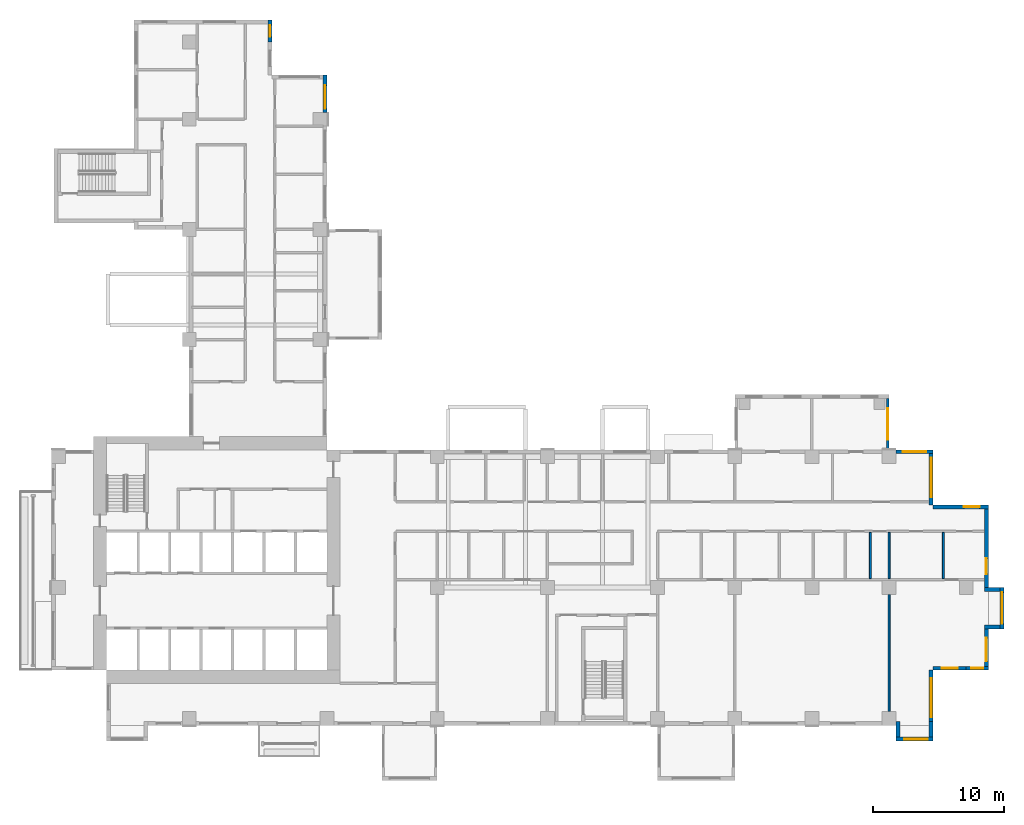
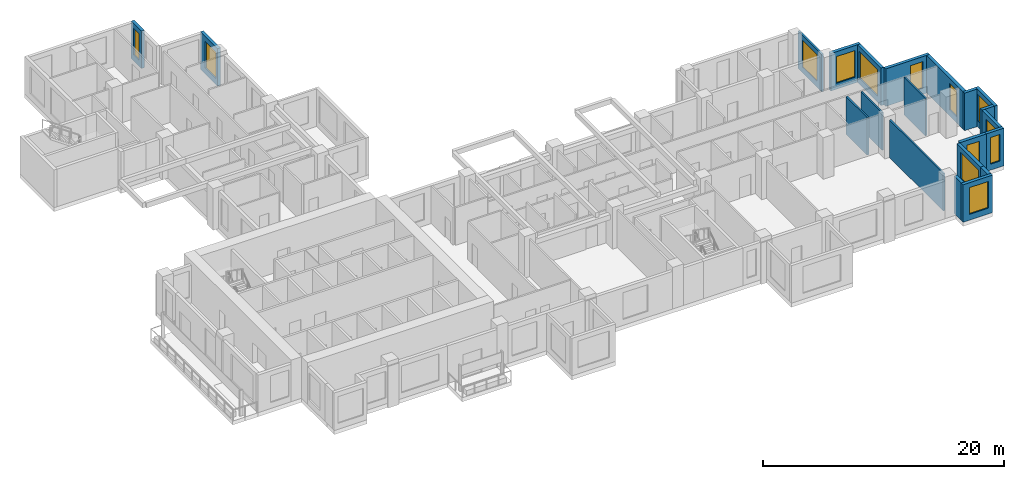
# One storey, part 8 of 14: 21 walls, 13 windows, 13 openings.
"""IFC4 building model written with IfcOpenShell, lengths in metres."""

from ifc_helpers import new_model, si_unit, direction, frame, frame_2d, origin, place, context, subcontext, project, spatial, rectangle, extrude, source, transform, mapped, material, layer, layer_set, type_object, element, fill, save


model = new_model("IFC4")

# Units and contexts
model_context = context("Model", 3, precision=1e-05, world=origin(), true_north=direction((0.0, 1.0)))
body_context = subcontext(model_context, "Body", "Model", "MODEL_VIEW")
ifc_project = project(units=[si_unit("LENGTHUNIT", "METRE"), si_unit("AREAUNIT", "SQUARE_METRE"), si_unit("VOLUMEUNIT", "CUBIC_METRE"), si_unit("PLANEANGLEUNIT", "RADIAN"), si_unit("MASSUNIT", "GRAM", prefix="KILO")], contexts=[model_context])

# Site, building, storey
site_placement = place(None, origin())
site = spatial("IfcSite", under=ifc_project, at=site_placement, CompositionType="ELEMENT")
building_placement = place(site_placement, origin())
building = spatial("IfcBuilding", under=site, at=building_placement, Name="Aurelian Terraces", CompositionType="ELEMENT")
storey_placement = place(building_placement, frame((0.0, 0.0, 132.9)))
storey = spatial("IfcBuildingStorey", under=building, at=storey_placement, Name="L29", CompositionType="ELEMENT", Elevation=132.9)

# Wall, opening, window
ifc_material_1 = material(Name="Terracotta rainscreen cladding", Category="masonry")
ifc_layer_1 = layer(ifc_material_1, 0.3)
ifc_layer_set_1 = layer_set([ifc_layer_1], Name="EW-300")
wall_type_1 = type_object("IfcWallType", Name="EW-300", PredefinedType="STANDARD", material=ifc_layer_set_1)
shared_shape_1 = source(origin(), body_context, "Body", "SweptSolid", [
    extrude(rectangle(XDim=3.15, YDim=0.3, at=frame_2d((1.575, 0.0))), origin(), (0.0, 0.0, 1.0), 3.8),
])
wall_1_placement = place(storey_placement, frame((71.25, 4.2, 0.0), z_axis=(0.0, 0.0, 1.0), x_axis=(0.0, 1.0, 0.0)))
wall_1 = element("IfcWall", 1, at=wall_1_placement, inside=storey, type_object=wall_type_1, Name="External wall L29 F04.15", PredefinedType="STANDARD", context=body_context, shape_type="MappedRepresentation", body=[
    mapped(shared_shape_1, transform((0.0, 0.0, 0.0), scale=1.0)),
])
shared_shape_2 = source(origin(), body_context, "Body", "SweptSolid", [
    extrude(rectangle(XDim=1.8, YDim=2.7, at=frame_2d((0.9, 1.35))), frame((0.0, 0.16, 0.0), z_axis=(0.0, -1.0, 0.0), x_axis=(1.0, 0.0, 0.0)), (0.0, 0.0, 1.0), 0.32),
])
opening_1_placement = place(wall_1_placement, frame((0.675, 0.0, 0.6)))
opening_1 = element("IfcOpeningElement", 2, at=opening_1_placement, cuts=wall_1, Name="Opening W1827", PredefinedType="OPENING", context=body_context, shape_type="MappedRepresentation", body=[
    mapped(shared_shape_2, transform((0.0, 0.0, 0.0), scale=1.0)),
])
ifc_material_2 = material(Name="Clear glazing", Category="glass")
window_type_1 = type_object("IfcWindowType", Name="W-1800x2700", PartitioningType="SINGLE_PANEL", PredefinedType="WINDOW", material=ifc_material_2)
shared_shape_3 = source(origin(), body_context, "Body", "SweptSolid", [
    extrude(rectangle(XDim=1.8, YDim=2.7, at=frame_2d((0.9, 1.35))), frame((0.0, 0.03, 0.0), z_axis=(0.0, -1.0, 0.0), x_axis=(1.0, 0.0, 0.0)), (0.0, 0.0, 1.0), 0.06),
])
window_1_placement = place(opening_1_placement, origin())
window_1 = element("IfcWindow", 3, at=window_1_placement, inside=storey, type_object=window_type_1, Name="Window L29 L29-F04-15-0", OverallHeight=2.7, OverallWidth=1.8, PartitioningType="SINGLE_PANEL", PredefinedType="WINDOW", context=body_context, shape_type="MappedRepresentation", body=[
    mapped(shared_shape_3, transform((0.0, 0.0, 0.0), scale=1.0)),
])
fill(opening_1, window_1)

wall_2_placement = place(storey_placement, frame((72.45, 7.35, 0.0), z_axis=(0.0, 0.0, 1.0), x_axis=(0.0, 1.0, 0.0)))
wall_2 = element("IfcWall", 4, at=wall_2_placement, inside=storey, type_object=wall_type_1, Name="Bay wall L29 F04.16", PredefinedType="STANDARD", context=body_context, shape_type="MappedRepresentation", body=[
    mapped(shared_shape_1, transform((0.0, 0.0, 0.0), scale=1.0)),
])
shared_shape_4 = source(origin(), body_context, "Body", "SweptSolid", [
    extrude(rectangle(XDim=2.4, YDim=2.7, at=frame_2d((1.2, 1.35))), frame((0.0, 0.16, 0.0), z_axis=(0.0, -1.0, 0.0), x_axis=(1.0, 0.0, 0.0)), (0.0, 0.0, 1.0), 0.32),
])
opening_2_placement = place(wall_2_placement, frame((0.375, 0.0, 0.6)))
opening_2 = element("IfcOpeningElement", 5, at=opening_2_placement, cuts=wall_2, Name="Opening W2427", PredefinedType="OPENING", context=body_context, shape_type="MappedRepresentation", body=[
    mapped(shared_shape_4, transform((0.0, 0.0, 0.0), scale=1.0)),
])
window_type_2 = type_object("IfcWindowType", Name="W-2400x2700", PartitioningType="SINGLE_PANEL", PredefinedType="WINDOW", material=ifc_material_2)
shared_shape_5 = source(origin(), body_context, "Body", "SweptSolid", [
    extrude(rectangle(XDim=2.4, YDim=2.7, at=frame_2d((1.2, 1.35))), frame((0.0, 0.03, 0.0), z_axis=(0.0, -1.0, 0.0), x_axis=(1.0, 0.0, 0.0)), (0.0, 0.0, 1.0), 0.06),
])
window_2_placement = place(opening_2_placement, origin())
window_2 = element("IfcWindow", 6, at=window_2_placement, inside=storey, type_object=window_type_2, Name="Window L29 L29-F04-16-0", OverallHeight=2.7, OverallWidth=2.4, PartitioningType="SINGLE_PANEL", PredefinedType="WINDOW", context=body_context, shape_type="MappedRepresentation", body=[
    mapped(shared_shape_5, transform((0.0, 0.0, 0.0), scale=1.0)),
])
fill(opening_2, window_2)

shared_shape_6 = source(origin(), body_context, "Body", "SweptSolid", [
    extrude(rectangle(XDim=4.2, YDim=0.3, at=frame_2d((2.1, 0.0))), origin(), (0.0, 0.0, 1.0), 3.8),
])
wall_3_placement = place(storey_placement, frame((67.05, 0.0, 0.0), z_axis=(0.0, 0.0, 1.0), x_axis=(0.0, 1.0, 0.0)))
wall_3 = element("IfcWall", 7, at=wall_3_placement, inside=storey, type_object=wall_type_1, Name="External wall L29 F02.12", PredefinedType="STANDARD", context=body_context, shape_type="MappedRepresentation", body=[
    mapped(shared_shape_6, transform((0.0, 0.0, 0.0), scale=1.0)),
])
shared_shape_7 = source(origin(), body_context, "Body", "SweptSolid", [
    extrude(rectangle(XDim=3.0, YDim=2.7, at=frame_2d((1.5, 1.35))), frame((0.0, 0.16, 0.0), z_axis=(0.0, -1.0, 0.0), x_axis=(1.0, 0.0, 0.0)), (0.0, 0.0, 1.0), 0.32),
])
opening_3_placement = place(wall_3_placement, frame((0.6, 0.0, 0.6)))
opening_3 = element("IfcOpeningElement", 8, at=opening_3_placement, cuts=wall_3, Name="Opening W3027", PredefinedType="OPENING", context=body_context, shape_type="MappedRepresentation", body=[
    mapped(shared_shape_7, transform((0.0, 0.0, 0.0), scale=1.0)),
])
window_type_3 = type_object("IfcWindowType", Name="W-3000x2700", PartitioningType="SINGLE_PANEL", PredefinedType="WINDOW", material=ifc_material_2)
shared_shape_8 = source(origin(), body_context, "Body", "SweptSolid", [
    extrude(rectangle(XDim=3.0, YDim=2.7, at=frame_2d((1.5, 1.35))), frame((0.0, 0.03, 0.0), z_axis=(0.0, -1.0, 0.0), x_axis=(1.0, 0.0, 0.0)), (0.0, 0.0, 1.0), 0.06),
])
window_3_placement = place(opening_3_placement, origin())
window_3 = element("IfcWindow", 9, at=window_3_placement, inside=storey, type_object=window_type_3, Name="Window L29 L29-F02-12-0", OverallHeight=2.7, OverallWidth=3.0, PartitioningType="SINGLE_PANEL", PredefinedType="WINDOW", context=body_context, shape_type="MappedRepresentation", body=[
    mapped(shared_shape_8, transform((0.0, 0.0, 0.0), scale=1.0)),
])
fill(opening_3, window_3)

wall_4_placement = place(storey_placement, frame((71.4, 16.65, 0.0), z_axis=(0.0, 0.0, 1.0), x_axis=(-1.0, 0.0, 0.0)))
wall_4 = element("IfcWall", 10, at=wall_4_placement, inside=storey, type_object=wall_type_1, Name="External wall L29 F05.18", PredefinedType="STANDARD", context=body_context, shape_type="MappedRepresentation", body=[
    mapped(shared_shape_6, transform((0.0, 0.0, 0.0), scale=1.0)),
])
shared_shape_9 = source(origin(), body_context, "Body", "SweptSolid", [
    extrude(rectangle(XDim=1.2, YDim=2.7, at=frame_2d((0.6, 1.35))), frame((0.0, 0.16, 0.0), z_axis=(0.0, -1.0, 0.0), x_axis=(1.0, 0.0, 0.0)), (0.0, 0.0, 1.0), 0.32),
])
opening_4_placement = place(wall_4_placement, frame((0.66, 0.0, 0.6)))
opening_4 = element("IfcOpeningElement", 11, at=opening_4_placement, cuts=wall_4, Name="Opening W1227", PredefinedType="OPENING", context=body_context, shape_type="MappedRepresentation", body=[
    mapped(shared_shape_9, transform((0.0, 0.0, 0.0), scale=1.0)),
])
window_type_4 = type_object("IfcWindowType", Name="W-1200x2700", PartitioningType="SINGLE_PANEL", PredefinedType="WINDOW", material=ifc_material_2)
shared_shape_10 = source(origin(), body_context, "Body", "SweptSolid", [
    extrude(rectangle(XDim=1.2, YDim=2.7, at=frame_2d((0.6, 1.35))), frame((0.0, 0.03, 0.0), z_axis=(0.0, -1.0, 0.0), x_axis=(1.0, 0.0, 0.0)), (0.0, 0.0, 1.0), 0.06),
])
window_4_placement = place(opening_4_placement, origin())
window_4 = element("IfcWindow", 12, at=window_4_placement, inside=storey, type_object=window_type_4, Name="Window L29 L29-F05-18-0", OverallHeight=2.7, OverallWidth=1.2, PartitioningType="SINGLE_PANEL", PredefinedType="WINDOW", context=body_context, shape_type="MappedRepresentation", body=[
    mapped(shared_shape_10, transform((0.0, 0.0, 0.0), scale=1.0)),
])
fill(opening_4, window_4)

wall_5_placement = place(storey_placement, frame((67.05, 16.8, 0.0), z_axis=(0.0, 0.0, 1.0), x_axis=(0.0, 1.0, 0.0)))
wall_5 = element("IfcWall", 13, at=wall_5_placement, inside=storey, type_object=wall_type_1, Name="External wall L29 F06.19", PredefinedType="STANDARD", context=body_context, shape_type="MappedRepresentation", body=[
    mapped(shared_shape_6, transform((0.0, 0.0, 0.0), scale=1.0)),
])
opening_5_placement = place(wall_5_placement, frame((0.6, 0.0, 0.6)))
opening_5 = element("IfcOpeningElement", 14, at=opening_5_placement, cuts=wall_5, Name="Opening W3027", PredefinedType="OPENING", context=body_context, shape_type="MappedRepresentation", body=[
    mapped(shared_shape_7, transform((0.0, 0.0, 0.0), scale=1.0)),
])
window_5_placement = place(opening_5_placement, origin())
window_5 = element("IfcWindow", 15, at=window_5_placement, inside=storey, type_object=window_type_3, Name="Window L29 L29-F06-19-0", OverallHeight=2.7, OverallWidth=3.0, PartitioningType="SINGLE_PANEL", PredefinedType="WINDOW", context=body_context, shape_type="MappedRepresentation", body=[
    mapped(shared_shape_8, transform((0.0, 0.0, 0.0), scale=1.0)),
])
fill(opening_5, window_5)

# Walls
shared_shape_11 = source(origin(), body_context, "Body", "SweptSolid", [
    extrude(rectangle(XDim=1.2, YDim=0.3, at=frame_2d((0.6, 0.0))), origin(), (0.0, 0.0, 1.0), 3.8),
])
for number, where, z_axis, x_axis, name in (
    (16, (64.515, 0.3, 0.0), (0.0, 0.0, 1.0), (0.0, -1.0, 0.0), "Bay return L29 F01.11.1"),
    (17, (67.05, 0.3, 0.0), (0.0, 0.0, 1.0), (0.0, -1.0, 0.0), "Bay return L29 F01.11.2"),
    (18, (71.1, 7.5, 0.0), (0.0, 0.0, 1.0), (1.0, 0.0, 0.0), "Bay return L29 F04.16.1"),
    (19, (71.1, 10.35, 0.0), (0.0, 0.0, 1.0), (1.0, 0.0, 0.0), "Bay return L29 F04.16.2"),
):
    element("IfcWall", number, at=place(storey_placement, frame(where, z_axis=z_axis, x_axis=x_axis)), inside=storey, type_object=wall_type_1, Name=name, PredefinedType="STANDARD", context=body_context, shape_type="MappedRepresentation", body=[
        mapped(shared_shape_11, transform((0.0, 0.0, 0.0), scale=1.0)),
    ])

# Wall, opening, window
shared_shape_12 = source(origin(), body_context, "Body", "SweptSolid", [
    extrude(rectangle(XDim=2.52, YDim=0.3, at=frame_2d((1.26, 0.0))), origin(), (0.0, 0.0, 1.0), 3.8),
])
wall_6_placement = place(storey_placement, frame((67.2, 4.35, 0.0), z_axis=(0.0, 0.0, 1.0), x_axis=(1.0, 0.0, 0.0)))
wall_6 = element("IfcWall", 20, at=wall_6_placement, inside=storey, type_object=wall_type_1, Name="External wall L29 F03.13", PredefinedType="STANDARD", context=body_context, shape_type="MappedRepresentation", body=[
    mapped(shared_shape_12, transform((0.0, 0.0, 0.0), scale=1.0)),
])
opening_6_placement = place(wall_6_placement, frame((0.66, 0.0, 0.6)))
opening_6 = element("IfcOpeningElement", 21, at=opening_6_placement, cuts=wall_6, Name="Opening W1227", PredefinedType="OPENING", context=body_context, shape_type="MappedRepresentation", body=[
    mapped(shared_shape_9, transform((0.0, 0.0, 0.0), scale=1.0)),
])
window_6_placement = place(opening_6_placement, origin())
window_6 = element("IfcWindow", 22, at=window_6_placement, inside=storey, type_object=window_type_4, Name="Window L29 L29-F03-13-0", OverallHeight=2.7, OverallWidth=1.2, PartitioningType="SINGLE_PANEL", PredefinedType="WINDOW", context=body_context, shape_type="MappedRepresentation", body=[
    mapped(shared_shape_10, transform((0.0, 0.0, 0.0), scale=1.0)),
])
fill(opening_6, window_6)

shared_shape_13 = source(origin(), body_context, "Body", "SweptSolid", [
    extrude(rectangle(XDim=1.68, YDim=0.3, at=frame_2d((0.84, 0.0))), origin(), (0.0, 0.0, 1.0), 3.8),
])
wall_7_placement = place(storey_placement, frame((69.72, 4.35, 0.0), z_axis=(0.0, 0.0, 1.0), x_axis=(1.0, 0.0, 0.0)))
wall_7 = element("IfcWall", 23, at=wall_7_placement, inside=storey, type_object=wall_type_1, Name="External wall L29 F03.14", PredefinedType="STANDARD", context=body_context, shape_type="MappedRepresentation", body=[
    mapped(shared_shape_13, transform((0.0, 0.0, 0.0), scale=1.0)),
])
shared_shape_14 = source(origin(), body_context, "Body", "SweptSolid", [
    extrude(rectangle(XDim=0.9, YDim=2.7, at=frame_2d((0.45, 1.35))), frame((0.0, 0.16, 0.0), z_axis=(0.0, -1.0, 0.0), x_axis=(1.0, 0.0, 0.0)), (0.0, 0.0, 1.0), 0.32),
])
opening_7_placement = place(wall_7_placement, frame((0.39, 0.0, 0.6)))
opening_7 = element("IfcOpeningElement", 24, at=opening_7_placement, cuts=wall_7, Name="Opening W0927", PredefinedType="OPENING", context=body_context, shape_type="MappedRepresentation", body=[
    mapped(shared_shape_14, transform((0.0, 0.0, 0.0), scale=1.0)),
])
window_type_5 = type_object("IfcWindowType", Name="W-900x2700", PartitioningType="SINGLE_PANEL", PredefinedType="WINDOW", material=ifc_material_2)
shared_shape_15 = source(origin(), body_context, "Body", "SweptSolid", [
    extrude(rectangle(XDim=0.9, YDim=2.7, at=frame_2d((0.45, 1.35))), frame((0.0, 0.03, 0.0), z_axis=(0.0, -1.0, 0.0), x_axis=(1.0, 0.0, 0.0)), (0.0, 0.0, 1.0), 0.06),
])
window_7_placement = place(opening_7_placement, origin())
window_7 = element("IfcWindow", 25, at=window_7_placement, inside=storey, type_object=window_type_5, Name="Window L29 L29-F03-14-P0", OverallHeight=2.7, OverallWidth=0.9, PartitioningType="SINGLE_PANEL", PredefinedType="WINDOW", context=body_context, shape_type="MappedRepresentation", body=[
    mapped(shared_shape_15, transform((0.0, 0.0, 0.0), scale=1.0)),
])
fill(opening_7, window_7)

wall_8_placement = place(storey_placement, frame((16.65, 52.08, 0.0), z_axis=(0.0, 0.0, 1.0), x_axis=(0.0, 1.0, 0.0)))
wall_8 = element("IfcWall", 26, at=wall_8_placement, inside=storey, type_object=wall_type_1, Name="External wall L29 F10.28", PredefinedType="STANDARD", context=body_context, shape_type="MappedRepresentation", body=[
    mapped(shared_shape_13, transform((0.0, 0.0, 0.0), scale=1.0)),
])
opening_8_placement = place(wall_8_placement, frame((0.39, 0.0, 0.6)))
opening_8 = element("IfcOpeningElement", 27, at=opening_8_placement, cuts=wall_8, Name="Opening W0927", PredefinedType="OPENING", context=body_context, shape_type="MappedRepresentation", body=[
    mapped(shared_shape_14, transform((0.0, 0.0, 0.0), scale=1.0)),
])
window_8_placement = place(opening_8_placement, origin())
window_8 = element("IfcWindow", 28, at=window_8_placement, inside=storey, type_object=window_type_5, Name="Window L29 L29-F10-28-P0", OverallHeight=2.7, OverallWidth=0.9, PartitioningType="SINGLE_PANEL", PredefinedType="WINDOW", context=body_context, shape_type="MappedRepresentation", body=[
    mapped(shared_shape_15, transform((0.0, 0.0, 0.0), scale=1.0)),
])
fill(opening_8, window_8)

shared_shape_16 = source(origin(), body_context, "Body", "SweptSolid", [
    extrude(rectangle(XDim=6.3, YDim=0.3, at=frame_2d((3.15, 0.0))), origin(), (0.0, 0.0, 1.0), 3.8),
])
wall_9_placement = place(storey_placement, frame((71.25, 10.5, 0.0), z_axis=(0.0, 0.0, 1.0), x_axis=(0.0, 1.0, 0.0)))
wall_9 = element("IfcWall", 29, at=wall_9_placement, inside=storey, type_object=wall_type_1, Name="External wall L29 F04.17", PredefinedType="STANDARD", context=body_context, shape_type="MappedRepresentation", body=[
    mapped(shared_shape_16, transform((0.0, 0.0, 0.0), scale=1.0)),
])
opening_9_placement = place(wall_9_placement, frame((1.025, 0.0, 0.6)))
opening_9 = element("IfcOpeningElement", 30, at=opening_9_placement, cuts=wall_9, Name="Opening W1227", PredefinedType="OPENING", context=body_context, shape_type="MappedRepresentation", body=[
    mapped(shared_shape_9, transform((0.0, 0.0, 0.0), scale=1.0)),
])
window_9_placement = place(opening_9_placement, origin())
window_9 = element("IfcWindow", 31, at=window_9_placement, inside=storey, type_object=window_type_4, Name="Window L29 L29-F04-17-0", OverallHeight=2.7, OverallWidth=1.2, PartitioningType="SINGLE_PANEL", PredefinedType="WINDOW", context=body_context, shape_type="MappedRepresentation", body=[
    mapped(shared_shape_10, transform((0.0, 0.0, 0.0), scale=1.0)),
])
fill(opening_9, window_9)

ifc_material_3 = material(Name="Concrete fc' 40 MPa", Category="concrete")
ifc_layer_2 = layer(ifc_material_3, 0.2)
ifc_layer_set_2 = layer_set([ifc_layer_2], Name="BOX BEARING WALL 200")
wall_type_2 = type_object("IfcWallType", Name="BOX BEARING WALL 200", PredefinedType="SOLIDWALL", material=ifc_layer_set_2)
shared_shape_17 = source(origin(), body_context, "Body", "SweptSolid", [
    extrude(rectangle(XDim=3.9, YDim=0.2, at=frame_2d((1.95, 0.0))), origin(), (0.0, 0.0, 1.0), 3.79),
])
wall_10_placement = place(storey_placement, frame((63.74, 21.0, 0.0), z_axis=(0.0, 0.0, 1.0), x_axis=(0.0, 1.0, 0.0)))
wall_10 = element("IfcWall", 32, at=wall_10_placement, inside=storey, type_object=wall_type_2, Name="Box return L29 K02.1", PredefinedType="SOLIDWALL", context=body_context, shape_type="MappedRepresentation", body=[
    mapped(shared_shape_17, transform((0.0, 0.0, 0.0), scale=1.0)),
])
shared_shape_18 = source(origin(), body_context, "Body", "SweptSolid", [
    extrude(rectangle(XDim=2.4, YDim=2.7, at=frame_2d((1.2, 1.35))), frame((0.0, 0.11, 0.0), z_axis=(0.0, -1.0, 0.0), x_axis=(1.0, 0.0, 0.0)), (0.0, 0.0, 1.0), 0.22),
])
opening_10_placement = place(wall_10_placement, frame((0.75, 0.0, 0.6)))
opening_10 = element("IfcOpeningElement", 33, at=opening_10_placement, cuts=wall_10, Name="Opening W2427", PredefinedType="OPENING", context=body_context, shape_type="MappedRepresentation", body=[
    mapped(shared_shape_18, transform((0.0, 0.0, 0.0), scale=1.0)),
])
window_10_placement = place(opening_10_placement, origin())
window_10 = element("IfcWindow", 34, at=window_10_placement, inside=storey, type_object=window_type_2, Name="Window L29 K02-S1", OverallHeight=2.7, OverallWidth=2.4, PartitioningType="SINGLE_PANEL", PredefinedType="WINDOW", context=body_context, shape_type="MappedRepresentation", body=[
    mapped(shared_shape_5, transform((0.0, 0.0, 0.0), scale=1.0)),
])
fill(opening_10, window_10)

shared_shape_19 = source(origin(), body_context, "Body", "SweptSolid", [
    extrude(rectangle(XDim=2.835, YDim=0.3, at=frame_2d((1.4175, 0.0))), origin(), (0.0, 0.0, 1.0), 3.8),
])
wall_11_placement = place(storey_placement, frame((64.365, -1.05, 0.0), z_axis=(0.0, 0.0, 1.0), x_axis=(1.0, 0.0, 0.0)))
wall_11 = element("IfcWall", 35, at=wall_11_placement, inside=storey, type_object=wall_type_1, Name="Bay wall L29 F01.11", PredefinedType="STANDARD", context=body_context, shape_type="MappedRepresentation", body=[
    mapped(shared_shape_19, transform((0.0, 0.0, 0.0), scale=1.0)),
])
opening_11_placement = place(wall_11_placement, frame((0.6175, 0.0, 0.6)))
opening_11 = element("IfcOpeningElement", 36, at=opening_11_placement, cuts=wall_11, Name="Opening W1827", PredefinedType="OPENING", context=body_context, shape_type="MappedRepresentation", body=[
    mapped(shared_shape_2, transform((0.0, 0.0, 0.0), scale=1.0)),
])
window_11_placement = place(opening_11_placement, origin())
window_11 = element("IfcWindow", 37, at=window_11_placement, inside=storey, type_object=window_type_1, Name="Window L29 L29-F01-11-0", OverallHeight=2.7, OverallWidth=1.8, PartitioningType="SINGLE_PANEL", PredefinedType="WINDOW", context=body_context, shape_type="MappedRepresentation", body=[
    mapped(shared_shape_3, transform((0.0, 0.0, 0.0), scale=1.0)),
])
fill(opening_11, window_11)

wall_12_placement = place(storey_placement, frame((67.2, 20.85, 0.0), z_axis=(0.0, 0.0, 1.0), x_axis=(-1.0, 0.0, 0.0)))
wall_12 = element("IfcWall", 38, at=wall_12_placement, inside=storey, type_object=wall_type_1, Name="External wall L29 F07.20", PredefinedType="STANDARD", context=body_context, shape_type="MappedRepresentation", body=[
    mapped(shared_shape_19, transform((0.0, 0.0, 0.0), scale=1.0)),
])
opening_12_placement = place(wall_12_placement, frame((0.5175, 0.0, 0.6)))
opening_12 = element("IfcOpeningElement", 39, at=opening_12_placement, cuts=wall_12, Name="Opening W1827", PredefinedType="OPENING", context=body_context, shape_type="MappedRepresentation", body=[
    mapped(shared_shape_2, transform((0.0, 0.0, 0.0), scale=1.0)),
])
window_12_placement = place(opening_12_placement, origin())
window_12 = element("IfcWindow", 40, at=window_12_placement, inside=storey, type_object=window_type_1, Name="Window L29 L29-F07-20-P0", OverallHeight=2.7, OverallWidth=1.8, PartitioningType="SINGLE_PANEL", PredefinedType="WINDOW", context=body_context, shape_type="MappedRepresentation", body=[
    mapped(shared_shape_3, transform((0.0, 0.0, 0.0), scale=1.0)),
])
fill(opening_12, window_12)

wall_13_placement = place(storey_placement, frame((20.85, 46.725, 0.0), z_axis=(0.0, 0.0, 1.0), x_axis=(0.0, 1.0, 0.0)))
wall_13 = element("IfcWall", 41, at=wall_13_placement, inside=storey, type_object=wall_type_1, Name="External wall L29 F08.25", PredefinedType="STANDARD", context=body_context, shape_type="MappedRepresentation", body=[
    mapped(shared_shape_19, transform((0.0, 0.0, 0.0), scale=1.0)),
])
opening_13_placement = place(wall_13_placement, frame((0.255, 0.0, 0.6)))
opening_13 = element("IfcOpeningElement", 42, at=opening_13_placement, cuts=wall_13, Name="Opening W1827", PredefinedType="OPENING", context=body_context, shape_type="MappedRepresentation", body=[
    mapped(shared_shape_2, transform((0.0, 0.0, 0.0), scale=1.0)),
])
window_13_placement = place(opening_13_placement, origin())
window_13 = element("IfcWindow", 43, at=window_13_placement, inside=storey, type_object=window_type_1, Name="Window L29 L29-F08-25-0", OverallHeight=2.7, OverallWidth=1.8, PartitioningType="SINGLE_PANEL", PredefinedType="WINDOW", context=body_context, shape_type="MappedRepresentation", body=[
    mapped(shared_shape_3, transform((0.0, 0.0, 0.0), scale=1.0)),
])
fill(opening_13, window_13)

# Walls
ifc_material_4 = material(Name="Gypsum board on steel studs", Category="steel")
ifc_layer_3 = layer(ifc_material_4, 0.15)
ifc_layer_set_3 = layer_set([ifc_layer_3], Name="Partition 150")
wall_type_3 = type_object("IfcWallType", Name="Partition 150", PredefinedType="PARTITIONING", material=ifc_layer_set_3)
shared_shape_20 = source(origin(), body_context, "Body", "SweptSolid", [
    extrude(rectangle(XDim=8.927, YDim=0.15, at=frame_2d((4.4635, 0.0))), origin(), (0.0, 0.0, 1.0), 3.8),
])
wall_14_placement = place(storey_placement, frame((63.84, 1.049, 0.0), z_axis=(0.0, 0.0, 1.0), x_axis=(0.0, 1.0, 0.0)))
element("IfcWall", 44, at=wall_14_placement, inside=storey, type_object=wall_type_3, Name="Partition", PredefinedType="PARTITIONING", context=body_context, shape_type="MappedRepresentation", body=[
    mapped(shared_shape_20, transform((0.0, 0.0, 0.0), scale=1.0)),
])
shared_shape_21 = source(origin(), body_context, "Body", "SweptSolid", [
    extrude(rectangle(XDim=3.525, YDim=0.15, at=frame_2d((1.7625, 0.0))), origin(), (0.0, 0.0, 1.0), 3.8),
])
for number, where, z_axis, x_axis, name in (
    (45, (62.4161, 11.175, 0.0), (0.0, 0.0, 1.0), (0.0, 1.0, 0.0), "Partition"),
    (46, (67.9735, 11.175, 0.0), (0.0, 0.0, 1.0), (0.0, 1.0, 0.0), "Partition"),
    (47, (63.84, 11.175, 0.0), (0.0, 0.0, 1.0), (0.0, 1.0, 0.0), "Partition"),
):
    element("IfcWall", number, at=place(storey_placement, frame(where, z_axis=z_axis, x_axis=x_axis)), inside=storey, type_object=wall_type_3, Name=name, PredefinedType="PARTITIONING", context=body_context, shape_type="MappedRepresentation", body=[
        mapped(shared_shape_21, transform((0.0, 0.0, 0.0), scale=1.0)),
    ])

save(model, "model.ifc")
